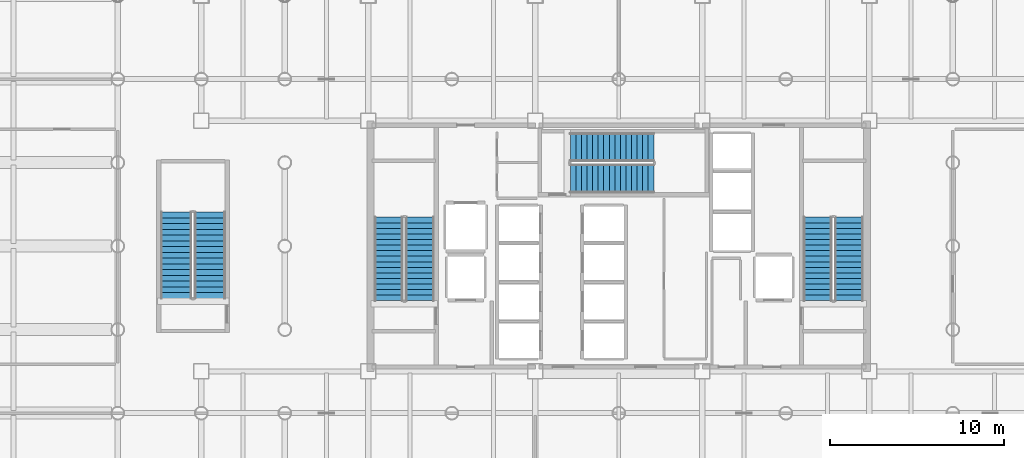
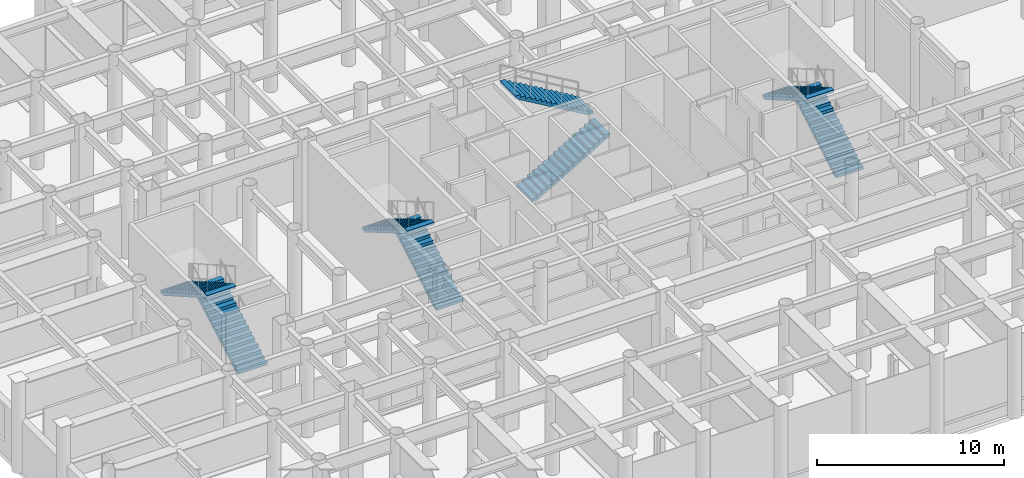
# One storey, part 21 of 26: 8 stair flights, 4 elements without a shape of their own.
"""IFC4 building model written with IfcOpenShell, lengths in metres."""

import ifcopenshell
import ifcopenshell.guid

model = None  # the IFC model being written
_history = None  # IfcOwnerHistory: only IFC2X3 demands one
_inside = {}  # id of a spatial element -> (the spatial element, [elements in it])
_under = {}  # id of a project, library or spatial element -> (it, [spatial elements below it])
_declared = {}  # id of a project -> (the project, [libraries it declares])
_typed = {}  # id of a type object -> (the type object, [elements of that type])
_made_of = {}  # id of a material, layer set ... -> (it, [elements and type objects made of it])


def new_model(schema):
    """Start an empty IFC model of exactly this schema.

    Asked for "IFC4X3", IfcOpenShell would pick the latest addendum, in which some entities
    have other attributes; the version numbers below select the first issue.
    IFC2X3 requires an IfcOwnerHistory on every rooted entity: one is made here for all.
    """
    global model, _history
    if schema == "IFC4X3":
        model = ifcopenshell.file(schema_version=(4, 3, 0, 0))
    else:
        model = ifcopenshell.file(schema=schema)
    _inside.clear()
    _under.clear()
    _declared.clear()
    _typed.clear()
    _made_of.clear()
    _history = None
    if model.schema == "IFC2X3":
        org = make("IfcOrganization", Name="unknown")
        user = make(
            "IfcPersonAndOrganization",
            ThePerson=make("IfcPerson", FamilyName="unknown"),
            TheOrganization=org,
        )
        app = make(
            "IfcApplication",
            ApplicationDeveloper=org,
            Version="unknown",
            ApplicationFullName="unknown",
            ApplicationIdentifier="unknown",
        )
        _history = make(
            "IfcOwnerHistory",
            OwningUser=user,
            OwningApplication=app,
            ChangeAction="ADDED",
            CreationDate=0,
        )
    return model


def make(cls, **values):
    """One entity of the class cls with the attributes given. An attribute that is None is left unset."""
    return model.create_entity(
        cls, **{name: value for name, value in values.items() if value is not None}
    )


def rooted(cls, **values):
    """An entity with a GlobalId (a new one), such as an element, a storey or a relation."""
    return make(cls, GlobalId=ifcopenshell.guid.new(), OwnerHistory=_history, **values)


def si_unit(unit_type, name, prefix=None):
    """IfcSIUnit, for example si_unit("LENGTHUNIT", "METRE", prefix="MILLI")."""
    return make("IfcSIUnit", UnitType=unit_type, Prefix=prefix, Name=name)


def assignment(units):
    """IfcUnitAssignment: the units of a project."""
    return None if units is None else make("IfcUnitAssignment", Units=units)


def point(xyz):
    """IfcCartesianPoint."""
    return None if xyz is None else make("IfcCartesianPoint", Coordinates=xyz)


def direction(xyz):
    """IfcDirection."""
    return None if xyz is None else make("IfcDirection", DirectionRatios=xyz)


def frame(location, z_axis=None, x_axis=None):
    """IfcAxis2Placement3D, a coordinate frame: its origin and axes. An axis left out is left unset."""
    return make(
        "IfcAxis2Placement3D",
        Location=point(location),
        Axis=direction(z_axis),
        RefDirection=direction(x_axis),
    )


def origin():
    """The frame at (0, 0, 0) with its axes left unset."""
    return frame((0.0, 0.0, 0.0))


def place(relative_to, where):
    """IfcLocalPlacement: puts the frame where relative to a parent placement (None: the world)."""
    return make(
        "IfcLocalPlacement", PlacementRelTo=relative_to, RelativePlacement=where
    )


def context(
    kind, dimensions, precision=None, world=None, true_north=None, identifier=None
):
    """IfcGeometricRepresentationContext, for example the 3D "Model" context."""
    return make(
        "IfcGeometricRepresentationContext",
        ContextIdentifier=identifier,
        ContextType=kind,
        CoordinateSpaceDimension=dimensions,
        Precision=precision,
        WorldCoordinateSystem=world,
        TrueNorth=true_north,
    )


def subcontext(parent, identifier, kind, view, scale=None):
    """IfcGeometricRepresentationSubContext, for example "Body" below "Model"."""
    return make(
        "IfcGeometricRepresentationSubContext",
        ContextIdentifier=identifier,
        ContextType=kind,
        ParentContext=parent,
        TargetScale=scale,
        TargetView=view,
    )


def project(units=None, contexts=None):
    """IfcProject with its units and contexts."""
    return rooted(
        "IfcProject",
        Name="project",
        RepresentationContexts=contexts,
        UnitsInContext=assignment(units),
    )


def spatial(cls, under=None, at=None, **own):
    """A site, building, storey or space (cls), placed at a placement, below another one or the project."""
    s = rooted(cls, ObjectPlacement=at, **own)
    if under is not None:
        _under.setdefault(under.id(), (under, []))[1].append(s)
    return s


def polyline(points):
    """IfcPolyline through the points."""
    return make("IfcPolyline", Points=[point(p) for p in points])


def outline(outer, holes=None, kind="AREA"):
    """IfcArbitraryClosedProfileDef: a profile drawn as a closed curve; with holes, ...WithVoids."""
    if holes is None:
        return make("IfcArbitraryClosedProfileDef", ProfileType=kind, OuterCurve=outer)
    return make(
        "IfcArbitraryProfileDefWithVoids",
        ProfileType=kind,
        OuterCurve=outer,
        InnerCurves=holes,
    )


def extrude(swept, where, along, depth):
    """IfcExtrudedAreaSolid: the profile swept, set in the frame where, extruded along a direction by depth."""
    return make(
        "IfcExtrudedAreaSolid",
        SweptArea=swept,
        Position=where,
        ExtrudedDirection=direction(along),
        Depth=depth,
    )


def shape(context_of_items, identifier, shape_type, items):
    """IfcShapeRepresentation: the items that make up one representation, for example the "Body"."""
    return make(
        "IfcShapeRepresentation",
        ContextOfItems=context_of_items,
        RepresentationIdentifier=identifier,
        RepresentationType=shape_type,
        Items=items,
    )


def material(Name=None, Category=None):
    """IfcMaterial."""
    return make("IfcMaterial", Name=Name, Category=Category)


def made_of(thing, what):
    """Note that an element or type object is made of a material, layer set ...; save() writes the relation."""
    if what is not None:
        _made_of.setdefault(what.id(), (what, []))[1].append(thing)
    return thing


def type_object(cls, material=None, **own):
    """A type object (cls), such as IfcWallType, which elements share."""
    return made_of(rooted(cls, **own), material)


def element(
    cls,
    number,
    at=None,
    inside=None,
    cuts=None,
    type_object=None,
    material=None,
    context=None,
    identifier="Body",
    shape_type=None,
    held_by="IfcProductDefinitionShape",
    body=None,
    shapes=None,
    **own,
):
    """One element of the class cls, such as IfcWall. Its Tag is "e" and its number.

    at: its placement. inside: the storey or other place that contains it. cuts: it is an
    opening in that element (IfcRelVoidsElement). A single representation is given by context,
    identifier, shape_type and body (its items); several are given by shapes. held_by: the class
    of the entity that holds the representations. save() writes the other relations.
    """
    e = rooted(cls, Tag="e%d" % number, ObjectPlacement=at, **own)
    if body is not None:
        shapes = [shape(context, identifier, shape_type, body)]
    if shapes is not None:
        e.Representation = make(held_by, Representations=shapes)
    if inside is not None:
        _inside.setdefault(inside.id(), (inside, []))[1].append(e)
    if cuts is not None:
        rooted(
            "IfcRelVoidsElement", RelatingBuildingElement=cuts, RelatedOpeningElement=e
        )
    if type_object is not None:
        _typed.setdefault(type_object.id(), (type_object, []))[1].append(e)
    return made_of(e, material)


def aggregate(whole, parts):
    """IfcRelAggregates: a whole, such as a stair, and the parts it consists of."""
    return rooted("IfcRelAggregates", RelatingObject=whole, RelatedObjects=parts)


def save(model, path):
    """Write the relations noted so far, then the file.

    IfcRelAggregates (storeys below a building ...), IfcRelContainedInSpatialStructure (elements
    in a storey), IfcRelDefinesByType, IfcRelAssociatesMaterial and IfcRelDeclares: one each for
    every whole, place, type object, material and project.
    """
    for whole, parts in _under.values():
        aggregate(whole, parts)
    for where, things in _inside.values():
        rooted(
            "IfcRelContainedInSpatialStructure",
            RelatedElements=things,
            RelatingStructure=where,
        )
    for kind, things in _typed.values():
        rooted("IfcRelDefinesByType", RelatedObjects=things, RelatingType=kind)
    for what, things in _made_of.values():
        rooted("IfcRelAssociatesMaterial", RelatedObjects=things, RelatingMaterial=what)
    for by, libraries in _declared.values():
        rooted("IfcRelDeclares", RelatingContext=by, RelatedDefinitions=libraries)
    model.write(path)


model = new_model("IFC4")

# Units and contexts
model_context = context("Model", 3, precision=1e-05, world=origin(), true_north=direction((0.0, 1.0)))
body_context = subcontext(model_context, "Body", "Model", "MODEL_VIEW")
ifc_project = project(units=[si_unit("LENGTHUNIT", "METRE"), si_unit("AREAUNIT", "SQUARE_METRE"), si_unit("VOLUMEUNIT", "CUBIC_METRE"), si_unit("PLANEANGLEUNIT", "RADIAN"), si_unit("MASSUNIT", "GRAM", prefix="KILO")], contexts=[model_context])

# Site, building, storey
site_placement = place(None, origin())
site = spatial("IfcSite", under=ifc_project, at=site_placement, CompositionType="ELEMENT")
building_placement = place(site_placement, origin())
building = spatial("IfcBuilding", under=site, at=building_placement, Name="Kallvorn Hotel Tower", CompositionType="ELEMENT")
storey_placement = place(building_placement, frame((0.0, 0.0, 6.0)))
storey = spatial("IfcBuildingStorey", under=building, at=storey_placement, Name="L01", CompositionType="ELEMENT", Elevation=6.0)

# Stair, stair flights
ifc_material_1 = material(Name="Precast concrete C40/50", Category="concrete")
stair_type_1 = type_object("IfcStairType", Name="STR_CORE_DOGLEG", PredefinedType="HALF_TURN_STAIR", material=ifc_material_1)
stair_1_placement = place(storey_placement, origin())
stair_1 = element("IfcStair", 1, at=stair_1_placement, inside=storey, type_object=stair_type_1, Name="L01 Exit stair ST1", PredefinedType="HALF_TURN_STAIR")
ifc_material_2 = material(Name="Precast concrete C40/50", Category="concrete")
stair_flight_type_1 = type_object("IfcStairFlightType", Name="FLT_CORE_1660", PredefinedType="STRAIGHT", material=ifc_material_2)
stair_flight_1_placement = place(storey_placement, frame((-11.429931640625, -3.139892578125, 0.0), z_axis=(0.0, 0.0, 1.0), x_axis=(0.0, 1.0, 0.0)))
stair_flight_1 = element("IfcStairFlight", 2, at=stair_flight_1_placement, type_object=stair_flight_type_1, Name="ST1 flight 1", NumberOfRisers=16, NumberOfTreads=15, PredefinedType="STRAIGHT", RiserHeight=0.1875, TreadLength=0.32, context=body_context, shape_type="SweptSolid", body=[
    extrude(outline(polyline([(0.0, 0.0), (0.0, 0.1875), (0.320068359375, 0.1875), (0.320068359375, 0.375), (0.639892578125, 0.375), (0.639892578125, 0.5625), (0.9599609375, 0.5625), (0.9599609375, 0.75), (1.280029296875, 0.75), (1.280029296875, 0.9375), (1.60009765625, 0.9375), (1.60009765625, 1.125), (1.919921875, 1.125), (1.919921875, 1.3125), (2.239990234375, 1.3125), (2.239990234375, 1.5), (2.56005859375, 1.5), (2.56005859375, 1.6875), (2.8798828125, 1.6875), (2.8798828125, 1.875), (3.199951171875, 1.875), (3.199951171875, 2.0625), (3.52001953125, 2.0625), (3.52001953125, 2.25), (3.840087890625, 2.25), (3.840087890625, 2.4375), (4.159912109375, 2.4375), (4.159912109375, 2.625), (4.47998046875, 2.625), (4.47998046875, 2.8125), (4.800048828125, 2.8125), (4.800048828125, 3.0), (4.800048828125, 2.638671875), (0.296630859375, 0.0), (0.0, 0.0)])), frame((0.0, 0.830078125, 0.0), z_axis=(0.0, -1.0, 0.0), x_axis=(1.0, 0.0, 0.0)), (0.0, 0.0, 1.0), 1.659912109375),
])
stair_flight_2_placement = place(storey_placement, frame((-13.22998046875, 1.659912109375, 3.0), z_axis=(0.0, 0.0, 1.0), x_axis=(0.0, -1.0, 0.0)))
stair_flight_2 = element("IfcStairFlight", 3, at=stair_flight_2_placement, type_object=stair_flight_type_1, Name="ST1 flight 2", NumberOfRisers=16, NumberOfTreads=15, PredefinedType="STRAIGHT", RiserHeight=0.1875, TreadLength=0.32, context=body_context, shape_type="SweptSolid", body=[
    extrude(outline(polyline([(0.0, 0.0), (0.0, 0.1875), (0.320068359375, 0.1875), (0.320068359375, 0.375), (0.639892578125, 0.375), (0.639892578125, 0.5625), (0.9599609375, 0.5625), (0.9599609375, 0.75), (1.280029296875, 0.75), (1.280029296875, 0.9375), (1.60009765625, 0.9375), (1.60009765625, 1.125), (1.919921875, 1.125), (1.919921875, 1.3125), (2.239990234375, 1.3125), (2.239990234375, 1.5), (2.56005859375, 1.5), (2.56005859375, 1.6875), (2.8798828125, 1.6875), (2.8798828125, 1.875), (3.199951171875, 1.875), (3.199951171875, 2.0625), (3.52001953125, 2.0625), (3.52001953125, 2.25), (3.840087890625, 2.25), (3.840087890625, 2.4375), (4.159912109375, 2.4375), (4.159912109375, 2.625), (4.47998046875, 2.625), (4.47998046875, 2.8125), (4.800048828125, 2.8125), (4.800048828125, 3.0), (4.800048828125, 2.638671875), (0.296630859375, 0.0), (0.0, 0.0)])), frame((0.0, 0.830078125, 0.0), z_axis=(0.0, -1.0, 0.0), x_axis=(1.0, 0.0, 0.0)), (0.0, 0.0, 1.0), 1.659912109375),
])
aggregate(stair_1, [stair_flight_1, stair_flight_2])

stair_2_placement = place(storey_placement, origin())
stair_2 = element("IfcStair", 4, at=stair_2_placement, inside=storey, type_object=stair_type_1, Name="L01 Exit stair ST2", PredefinedType="HALF_TURN_STAIR")
stair_flight_3_placement = place(storey_placement, frame((13.22998046875, -3.139892578125, 0.0), z_axis=(0.0, 0.0, 1.0), x_axis=(0.0, 1.0, 0.0)))
stair_flight_3 = element("IfcStairFlight", 5, at=stair_flight_3_placement, type_object=stair_flight_type_1, Name="ST2 flight 1", NumberOfRisers=16, NumberOfTreads=15, PredefinedType="STRAIGHT", RiserHeight=0.1875, TreadLength=0.32, context=body_context, shape_type="SweptSolid", body=[
    extrude(outline(polyline([(0.0, 0.0), (0.0, 0.1875), (0.320068359375, 0.1875), (0.320068359375, 0.375), (0.639892578125, 0.375), (0.639892578125, 0.5625), (0.9599609375, 0.5625), (0.9599609375, 0.75), (1.280029296875, 0.75), (1.280029296875, 0.9375), (1.60009765625, 0.9375), (1.60009765625, 1.125), (1.919921875, 1.125), (1.919921875, 1.3125), (2.239990234375, 1.3125), (2.239990234375, 1.5), (2.56005859375, 1.5), (2.56005859375, 1.6875), (2.8798828125, 1.6875), (2.8798828125, 1.875), (3.199951171875, 1.875), (3.199951171875, 2.0625), (3.52001953125, 2.0625), (3.52001953125, 2.25), (3.840087890625, 2.25), (3.840087890625, 2.4375), (4.159912109375, 2.4375), (4.159912109375, 2.625), (4.47998046875, 2.625), (4.47998046875, 2.8125), (4.800048828125, 2.8125), (4.800048828125, 3.0), (4.800048828125, 2.638671875), (0.296630859375, 0.0), (0.0, 0.0)])), frame((0.0, 0.830078125, 0.0), z_axis=(0.0, -1.0, 0.0), x_axis=(1.0, 0.0, 0.0)), (0.0, 0.0, 1.0), 1.659912109375),
])
stair_flight_4_placement = place(storey_placement, frame((11.429931640625, 1.659912109375, 3.0), z_axis=(0.0, 0.0, 1.0), x_axis=(0.0, -1.0, 0.0)))
stair_flight_4 = element("IfcStairFlight", 6, at=stair_flight_4_placement, type_object=stair_flight_type_1, Name="ST2 flight 2", NumberOfRisers=16, NumberOfTreads=15, PredefinedType="STRAIGHT", RiserHeight=0.1875, TreadLength=0.32, context=body_context, shape_type="SweptSolid", body=[
    extrude(outline(polyline([(0.0, 0.0), (0.0, 0.1875), (0.320068359375, 0.1875), (0.320068359375, 0.375), (0.639892578125, 0.375), (0.639892578125, 0.5625), (0.9599609375, 0.5625), (0.9599609375, 0.75), (1.280029296875, 0.75), (1.280029296875, 0.9375), (1.60009765625, 0.9375), (1.60009765625, 1.125), (1.919921875, 1.125), (1.919921875, 1.3125), (2.239990234375, 1.3125), (2.239990234375, 1.5), (2.56005859375, 1.5), (2.56005859375, 1.6875), (2.8798828125, 1.6875), (2.8798828125, 1.875), (3.199951171875, 1.875), (3.199951171875, 2.0625), (3.52001953125, 2.0625), (3.52001953125, 2.25), (3.840087890625, 2.25), (3.840087890625, 2.4375), (4.159912109375, 2.4375), (4.159912109375, 2.625), (4.47998046875, 2.625), (4.47998046875, 2.8125), (4.800048828125, 2.8125), (4.800048828125, 3.0), (4.800048828125, 2.638671875), (0.296630859375, 0.0), (0.0, 0.0)])), frame((0.0, 0.830078125, 0.0), z_axis=(0.0, -1.0, 0.0), x_axis=(1.0, 0.0, 0.0)), (0.0, 0.0, 1.0), 1.659912109375),
])
aggregate(stair_2, [stair_flight_3, stair_flight_4])

stair_3_placement = place(storey_placement, origin())
stair_3 = element("IfcStair", 7, at=stair_3_placement, inside=storey, type_object=stair_type_1, Name="L01 Exit stair ST3", PredefinedType="HALF_TURN_STAIR")
stair_flight_5_placement = place(storey_placement, frame((-2.7900390625, 3.8798828125, 0.0), z_axis=(0.0, 0.0, 1.0), x_axis=(1.0, 0.0, 0.0)))
stair_flight_5 = element("IfcStairFlight", 8, at=stair_flight_5_placement, type_object=stair_flight_type_1, Name="ST3 flight 1", NumberOfRisers=16, NumberOfTreads=15, PredefinedType="STRAIGHT", RiserHeight=0.1875, TreadLength=0.32, context=body_context, shape_type="SweptSolid", body=[
    extrude(outline(polyline([(0.0, 0.0), (0.0, 0.1875), (0.320068359375, 0.1875), (0.320068359375, 0.375), (0.639892578125, 0.375), (0.639892578125, 0.5625), (0.9599609375, 0.5625), (0.9599609375, 0.75), (1.280029296875, 0.75), (1.280029296875, 0.9375), (1.60009765625, 0.9375), (1.60009765625, 1.125), (1.919921875, 1.125), (1.919921875, 1.3125), (2.239990234375, 1.3125), (2.239990234375, 1.5), (2.56005859375, 1.5), (2.56005859375, 1.6875), (2.8798828125, 1.6875), (2.8798828125, 1.875), (3.199951171875, 1.875), (3.199951171875, 2.0625), (3.52001953125, 2.0625), (3.52001953125, 2.25), (3.840087890625, 2.25), (3.840087890625, 2.4375), (4.159912109375, 2.4375), (4.159912109375, 2.625), (4.47998046875, 2.625), (4.47998046875, 2.8125), (4.800048828125, 2.8125), (4.800048828125, 3.0), (4.800048828125, 2.638671875), (0.296630859375, 0.0), (0.0, 0.0)])), frame((0.0, 0.830078125, 0.0), z_axis=(0.0, -1.0, 0.0), x_axis=(1.0, 0.0, 0.0)), (0.0, 0.0, 1.0), 1.659912109375),
])
stair_flight_6_placement = place(storey_placement, frame((2.010009765625, 5.679931640625, 3.0), z_axis=(0.0, 0.0, 1.0), x_axis=(-1.0, 0.0, 0.0)))
stair_flight_6 = element("IfcStairFlight", 9, at=stair_flight_6_placement, type_object=stair_flight_type_1, Name="ST3 flight 2", NumberOfRisers=16, NumberOfTreads=15, PredefinedType="STRAIGHT", RiserHeight=0.1875, TreadLength=0.32, context=body_context, shape_type="SweptSolid", body=[
    extrude(outline(polyline([(0.0, 0.0), (0.0, 0.1875), (0.320068359375, 0.1875), (0.320068359375, 0.375), (0.639892578125, 0.375), (0.639892578125, 0.5625), (0.9599609375, 0.5625), (0.9599609375, 0.75), (1.280029296875, 0.75), (1.280029296875, 0.9375), (1.60009765625, 0.9375), (1.60009765625, 1.125), (1.919921875, 1.125), (1.919921875, 1.3125), (2.239990234375, 1.3125), (2.239990234375, 1.5), (2.56005859375, 1.5), (2.56005859375, 1.6875), (2.8798828125, 1.6875), (2.8798828125, 1.875), (3.199951171875, 1.875), (3.199951171875, 2.0625), (3.52001953125, 2.0625), (3.52001953125, 2.25), (3.840087890625, 2.25), (3.840087890625, 2.4375), (4.159912109375, 2.4375), (4.159912109375, 2.625), (4.47998046875, 2.625), (4.47998046875, 2.8125), (4.800048828125, 2.8125), (4.800048828125, 3.0), (4.800048828125, 2.638671875), (0.296630859375, 0.0), (0.0, 0.0)])), frame((0.0, 0.830078125, 0.0), z_axis=(0.0, -1.0, 0.0), x_axis=(1.0, 0.0, 0.0)), (0.0, 0.0, 1.0), 1.659912109375),
])
aggregate(stair_3, [stair_flight_5, stair_flight_6])

ifc_material_3 = material(Name="Precast concrete C40/50", Category="concrete")
stair_type_2 = type_object("IfcStairType", Name="STR_POD_DOGLEG", PredefinedType="HALF_TURN_STAIR", material=ifc_material_3)
stair_4_placement = place(storey_placement, origin())
stair_4 = element("IfcStair", 10, at=stair_4_placement, inside=storey, type_object=stair_type_2, Name="L01 Exit stair ST4", PredefinedType="HALF_TURN_STAIR")
ifc_material_4 = material(Name="Precast concrete C40/50", Category="concrete")
stair_flight_type_2 = type_object("IfcStairFlightType", Name="FLT_POD_1800", PredefinedType="STRAIGHT", material=ifc_material_4)
stair_flight_7_placement = place(storey_placement, frame((-23.5, -3.0, 0.0), z_axis=(0.0, 0.0, 1.0), x_axis=(0.0, 1.0, 0.0)))
stair_flight_7 = element("IfcStairFlight", 11, at=stair_flight_7_placement, type_object=stair_flight_type_2, Name="ST4 flight 1", NumberOfRisers=16, NumberOfTreads=15, PredefinedType="STRAIGHT", RiserHeight=0.1875, TreadLength=0.33, context=body_context, shape_type="SweptSolid", body=[
    extrude(outline(polyline([(0.0, 0.0), (0.0, 0.1875), (0.330078125, 0.1875), (0.330078125, 0.375), (0.659912109375, 0.375), (0.659912109375, 0.5625), (0.989990234375, 0.5625), (0.989990234375, 0.75), (1.320068359375, 0.75), (1.320068359375, 0.9375), (1.64990234375, 0.9375), (1.64990234375, 1.125), (1.97998046875, 1.125), (1.97998046875, 1.3125), (2.31005859375, 1.3125), (2.31005859375, 1.5), (2.639892578125, 1.5), (2.639892578125, 1.6875), (2.969970703125, 1.6875), (2.969970703125, 1.875), (3.300048828125, 1.875), (3.300048828125, 2.0625), (3.6298828125, 2.0625), (3.6298828125, 2.25), (3.9599609375, 2.25), (3.9599609375, 2.4375), (4.2900390625, 2.4375), (4.2900390625, 2.625), (4.6201171875, 2.625), (4.6201171875, 2.8125), (4.949951171875, 2.8125), (4.949951171875, 3.0), (4.949951171875, 2.64013671875), (0.303466796875, 0.0), (0.0, 0.0)])), frame((0.0, 0.89990234375, 0.0), z_axis=(0.0, -1.0, 0.0), x_axis=(1.0, 0.0, 0.0)), (0.0, 0.0, 1.0), 1.800048828125),
])
stair_flight_8_placement = place(storey_placement, frame((-25.43994140625, 1.949951171875, 3.0), z_axis=(0.0, 0.0, 1.0), x_axis=(0.0, -1.0, 0.0)))
stair_flight_8 = element("IfcStairFlight", 12, at=stair_flight_8_placement, type_object=stair_flight_type_2, Name="ST4 flight 2", NumberOfRisers=16, NumberOfTreads=15, PredefinedType="STRAIGHT", RiserHeight=0.1875, TreadLength=0.33, context=body_context, shape_type="SweptSolid", body=[
    extrude(outline(polyline([(0.0, 0.0), (0.0, 0.1875), (0.330078125, 0.1875), (0.330078125, 0.375), (0.659912109375, 0.375), (0.659912109375, 0.5625), (0.989990234375, 0.5625), (0.989990234375, 0.75), (1.320068359375, 0.75), (1.320068359375, 0.9375), (1.64990234375, 0.9375), (1.64990234375, 1.125), (1.97998046875, 1.125), (1.97998046875, 1.3125), (2.31005859375, 1.3125), (2.31005859375, 1.5), (2.639892578125, 1.5), (2.639892578125, 1.6875), (2.969970703125, 1.6875), (2.969970703125, 1.875), (3.300048828125, 1.875), (3.300048828125, 2.0625), (3.6298828125, 2.0625), (3.6298828125, 2.25), (3.9599609375, 2.25), (3.9599609375, 2.4375), (4.2900390625, 2.4375), (4.2900390625, 2.625), (4.6201171875, 2.625), (4.6201171875, 2.8125), (4.949951171875, 2.8125), (4.949951171875, 3.0), (4.949951171875, 2.64013671875), (0.303466796875, 0.0), (0.0, 0.0)])), frame((0.0, 0.89990234375, 0.0), z_axis=(0.0, -1.0, 0.0), x_axis=(1.0, 0.0, 0.0)), (0.0, 0.0, 1.0), 1.800048828125),
])
aggregate(stair_4, [stair_flight_7, stair_flight_8])

save(model, "model.ifc")
